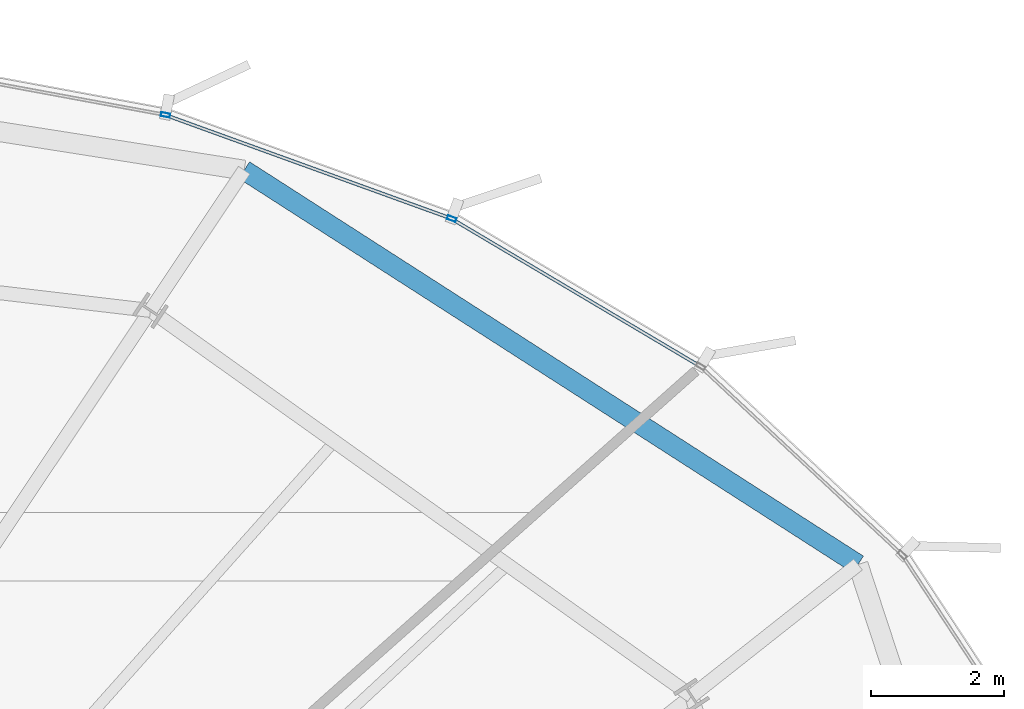
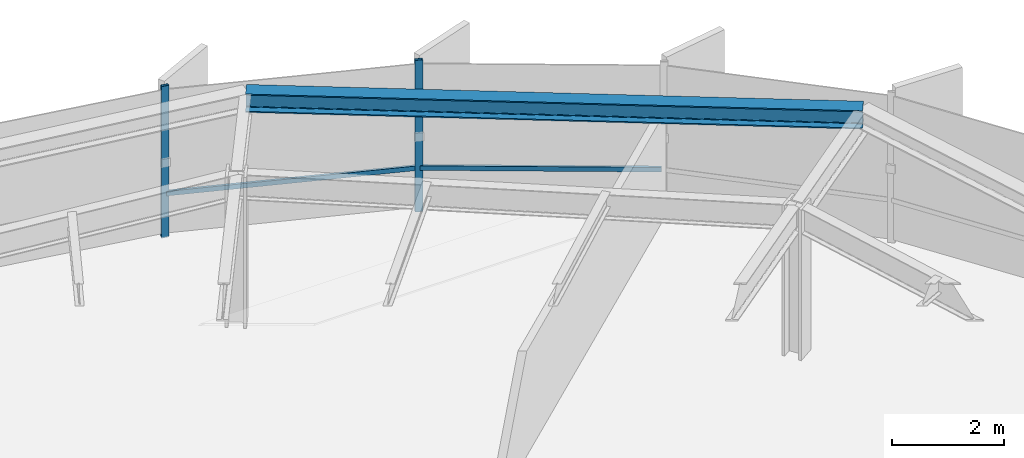
# One storey, part 25 of 35: 4 members, 1 beam, 1 element without a shape of its own.
"""IFC4 building model written with IfcOpenShell, lengths in metres."""

import ifcopenshell
import ifcopenshell.guid

model = None  # the IFC model being written
_history = None  # IfcOwnerHistory: only IFC2X3 demands one
_inside = {}  # id of a spatial element -> (the spatial element, [elements in it])
_under = {}  # id of a project, library or spatial element -> (it, [spatial elements below it])
_declared = {}  # id of a project -> (the project, [libraries it declares])
_typed = {}  # id of a type object -> (the type object, [elements of that type])
_made_of = {}  # id of a material, layer set ... -> (it, [elements and type objects made of it])


def new_model(schema):
    """Start an empty IFC model of exactly this schema.

    Asked for "IFC4X3", IfcOpenShell would pick the latest addendum, in which some entities
    have other attributes; the version numbers below select the first issue.
    IFC2X3 requires an IfcOwnerHistory on every rooted entity: one is made here for all.
    """
    global model, _history
    if schema == "IFC4X3":
        model = ifcopenshell.file(schema_version=(4, 3, 0, 0))
    else:
        model = ifcopenshell.file(schema=schema)
    _inside.clear()
    _under.clear()
    _declared.clear()
    _typed.clear()
    _made_of.clear()
    _history = None
    if model.schema == "IFC2X3":
        org = make("IfcOrganization", Name="unknown")
        user = make(
            "IfcPersonAndOrganization",
            ThePerson=make("IfcPerson", FamilyName="unknown"),
            TheOrganization=org,
        )
        app = make(
            "IfcApplication",
            ApplicationDeveloper=org,
            Version="unknown",
            ApplicationFullName="unknown",
            ApplicationIdentifier="unknown",
        )
        _history = make(
            "IfcOwnerHistory",
            OwningUser=user,
            OwningApplication=app,
            ChangeAction="ADDED",
            CreationDate=0,
        )
    return model


def make(cls, **values):
    """One entity of the class cls with the attributes given. An attribute that is None is left unset."""
    return model.create_entity(
        cls, **{name: value for name, value in values.items() if value is not None}
    )


def rooted(cls, **values):
    """An entity with a GlobalId (a new one), such as an element, a storey or a relation."""
    return make(cls, GlobalId=ifcopenshell.guid.new(), OwnerHistory=_history, **values)


def si_unit(unit_type, name, prefix=None):
    """IfcSIUnit, for example si_unit("LENGTHUNIT", "METRE", prefix="MILLI")."""
    return make("IfcSIUnit", UnitType=unit_type, Prefix=prefix, Name=name)


def assignment(units):
    """IfcUnitAssignment: the units of a project."""
    return None if units is None else make("IfcUnitAssignment", Units=units)


def point(xyz):
    """IfcCartesianPoint."""
    return None if xyz is None else make("IfcCartesianPoint", Coordinates=xyz)


def direction(xyz):
    """IfcDirection."""
    return None if xyz is None else make("IfcDirection", DirectionRatios=xyz)


def frame(location, z_axis=None, x_axis=None):
    """IfcAxis2Placement3D, a coordinate frame: its origin and axes. An axis left out is left unset."""
    return make(
        "IfcAxis2Placement3D",
        Location=point(location),
        Axis=direction(z_axis),
        RefDirection=direction(x_axis),
    )


def frame_2d(location, x_axis=None):
    """IfcAxis2Placement2D, a coordinate frame in the plane: its origin and x axis."""
    return make(
        "IfcAxis2Placement2D", Location=point(location), RefDirection=direction(x_axis)
    )


def origin():
    """The frame at (0, 0, 0) with its axes left unset."""
    return frame((0.0, 0.0, 0.0))


def origin_2d():
    """The frame at (0, 0) in the plane with its x axis left unset."""
    return frame_2d((0.0, 0.0))


def place(relative_to, where):
    """IfcLocalPlacement: puts the frame where relative to a parent placement (None: the world)."""
    return make(
        "IfcLocalPlacement", PlacementRelTo=relative_to, RelativePlacement=where
    )


def context(
    kind, dimensions, precision=None, world=None, true_north=None, identifier=None
):
    """IfcGeometricRepresentationContext, for example the 3D "Model" context."""
    return make(
        "IfcGeometricRepresentationContext",
        ContextIdentifier=identifier,
        ContextType=kind,
        CoordinateSpaceDimension=dimensions,
        Precision=precision,
        WorldCoordinateSystem=world,
        TrueNorth=true_north,
    )


def subcontext(parent, identifier, kind, view, scale=None):
    """IfcGeometricRepresentationSubContext, for example "Body" below "Model"."""
    return make(
        "IfcGeometricRepresentationSubContext",
        ContextIdentifier=identifier,
        ContextType=kind,
        ParentContext=parent,
        TargetScale=scale,
        TargetView=view,
    )


def project(units=None, contexts=None):
    """IfcProject with its units and contexts."""
    return rooted(
        "IfcProject",
        Name="project",
        RepresentationContexts=contexts,
        UnitsInContext=assignment(units),
    )


def spatial(cls, under=None, at=None, **own):
    """A site, building, storey or space (cls), placed at a placement, below another one or the project."""
    s = rooted(cls, ObjectPlacement=at, **own)
    if under is not None:
        _under.setdefault(under.id(), (under, []))[1].append(s)
    return s


def profile(cls, at=None, kind="AREA", **sizes):
    """A parametric profile (cls). Its sizes go by their IFC names, for example OverallWidth=200.0."""
    return make(cls, ProfileType=kind, Position=at, **sizes)


def hollow_rectangle(**sizes):
    """IfcRectangleHollowProfileDef."""
    return profile("IfcRectangleHollowProfileDef", **sizes)


def i_section(**sizes):
    """IfcIShapeProfileDef."""
    return profile("IfcIShapeProfileDef", **sizes)


def extrude(swept, where, along, depth):
    """IfcExtrudedAreaSolid: the profile swept, set in the frame where, extruded along a direction by depth."""
    return make(
        "IfcExtrudedAreaSolid",
        SweptArea=swept,
        Position=where,
        ExtrudedDirection=direction(along),
        Depth=depth,
    )


def shape(context_of_items, identifier, shape_type, items):
    """IfcShapeRepresentation: the items that make up one representation, for example the "Body"."""
    return make(
        "IfcShapeRepresentation",
        ContextOfItems=context_of_items,
        RepresentationIdentifier=identifier,
        RepresentationType=shape_type,
        Items=items,
    )


def source(mapping_origin, context_of_items, identifier, shape_type, items):
    """IfcRepresentationMap: a shape defined once, which mapped items show again and again."""
    return make(
        "IfcRepresentationMap",
        MappingOrigin=mapping_origin,
        MappedRepresentation=shape(context_of_items, identifier, shape_type, items),
    )


def transform(
    local_origin,
    x_axis=None,
    y_axis=None,
    z_axis=None,
    scale=None,
    scale2=None,
    scale3=None,
    uniform=True,
):
    """IfcCartesianTransformationOperator3D, or its non-uniform kind. x_axis, y_axis, z_axis: its Axis1, 2, 3."""
    if uniform:
        return make(
            "IfcCartesianTransformationOperator3D",
            Axis1=direction(x_axis),
            Axis2=direction(y_axis),
            LocalOrigin=point(local_origin),
            Scale=scale,
            Axis3=direction(z_axis),
        )
    return make(
        "IfcCartesianTransformationOperator3DnonUniform",
        Axis1=direction(x_axis),
        Axis2=direction(y_axis),
        LocalOrigin=point(local_origin),
        Scale=scale,
        Axis3=direction(z_axis),
        Scale2=scale2,
        Scale3=scale3,
    )


def mapped(mapping_source, mapping_target):
    """IfcMappedItem: shows the shape of a source again, moved by a transform."""
    return make(
        "IfcMappedItem", MappingSource=mapping_source, MappingTarget=mapping_target
    )


def material(Name=None, Category=None):
    """IfcMaterial."""
    return make("IfcMaterial", Name=Name, Category=Category)


def layer(
    of_material, thickness, ventilated=None, Name=None, Category=None, Priority=None
):
    """IfcMaterialLayer: one layer of a wall or slab, of a material (None: an air gap)."""
    return make(
        "IfcMaterialLayer",
        Material=of_material,
        LayerThickness=thickness,
        IsVentilated=ventilated,
        Name=Name,
        Category=Category,
        Priority=Priority,
    )


def layer_set(layers, Name=None):
    """IfcMaterialLayerSet."""
    return make("IfcMaterialLayerSet", MaterialLayers=layers, LayerSetName=Name)


def material_profile(
    of_material, cross_section, Name=None, Category=None, Priority=None
):
    """IfcMaterialProfile: a cross section and its material."""
    return make(
        "IfcMaterialProfile",
        Name=Name,
        Material=of_material,
        Profile=cross_section,
        Priority=Priority,
        Category=Category,
    )


def profile_set(profiles, Name=None, composite=None):
    """IfcMaterialProfileSet."""
    return make(
        "IfcMaterialProfileSet",
        Name=Name,
        MaterialProfiles=profiles,
        CompositeProfile=composite,
    )


def made_of(thing, what):
    """Note that an element or type object is made of a material, layer set ...; save() writes the relation."""
    if what is not None:
        _made_of.setdefault(what.id(), (what, []))[1].append(thing)
    return thing


def type_object(cls, material=None, **own):
    """A type object (cls), such as IfcWallType, which elements share."""
    return made_of(rooted(cls, **own), material)


def element(
    cls,
    number,
    at=None,
    inside=None,
    cuts=None,
    type_object=None,
    material=None,
    context=None,
    identifier="Body",
    shape_type=None,
    held_by="IfcProductDefinitionShape",
    body=None,
    shapes=None,
    **own,
):
    """One element of the class cls, such as IfcWall. Its Tag is "e" and its number.

    at: its placement. inside: the storey or other place that contains it. cuts: it is an
    opening in that element (IfcRelVoidsElement). A single representation is given by context,
    identifier, shape_type and body (its items); several are given by shapes. held_by: the class
    of the entity that holds the representations. save() writes the other relations.
    """
    e = rooted(cls, Tag="e%d" % number, ObjectPlacement=at, **own)
    if body is not None:
        shapes = [shape(context, identifier, shape_type, body)]
    if shapes is not None:
        e.Representation = make(held_by, Representations=shapes)
    if inside is not None:
        _inside.setdefault(inside.id(), (inside, []))[1].append(e)
    if cuts is not None:
        rooted(
            "IfcRelVoidsElement", RelatingBuildingElement=cuts, RelatedOpeningElement=e
        )
    if type_object is not None:
        _typed.setdefault(type_object.id(), (type_object, []))[1].append(e)
    return made_of(e, material)


def aggregate(whole, parts):
    """IfcRelAggregates: a whole, such as a stair, and the parts it consists of."""
    return rooted("IfcRelAggregates", RelatingObject=whole, RelatedObjects=parts)


def save(model, path):
    """Write the relations noted so far, then the file.

    IfcRelAggregates (storeys below a building ...), IfcRelContainedInSpatialStructure (elements
    in a storey), IfcRelDefinesByType, IfcRelAssociatesMaterial and IfcRelDeclares: one each for
    every whole, place, type object, material and project.
    """
    for whole, parts in _under.values():
        aggregate(whole, parts)
    for where, things in _inside.values():
        rooted(
            "IfcRelContainedInSpatialStructure",
            RelatedElements=things,
            RelatingStructure=where,
        )
    for kind, things in _typed.values():
        rooted("IfcRelDefinesByType", RelatedObjects=things, RelatingType=kind)
    for what, things in _made_of.values():
        rooted("IfcRelAssociatesMaterial", RelatedObjects=things, RelatingMaterial=what)
    for by, libraries in _declared.values():
        rooted("IfcRelDeclares", RelatingContext=by, RelatedDefinitions=libraries)
    model.write(path)


model = new_model("IFC4")

# Units and contexts
model_context = context("Model", 3, precision=1e-05, world=origin(), true_north=direction((0.0, 1.0)))
body_context = subcontext(model_context, "Body", "Model", "MODEL_VIEW")
ifc_project = project(units=[si_unit("LENGTHUNIT", "METRE"), si_unit("AREAUNIT", "SQUARE_METRE"), si_unit("VOLUMEUNIT", "CUBIC_METRE"), si_unit("PLANEANGLEUNIT", "RADIAN"), si_unit("MASSUNIT", "GRAM", prefix="KILO"), si_unit("THERMODYNAMICTEMPERATUREUNIT", "KELVIN")], contexts=[model_context])

# Site, building, storey
site_placement = place(None, origin())
site = spatial("IfcSite", under=ifc_project, at=site_placement, CompositionType="ELEMENT")
building_placement = place(site_placement, origin())
building = spatial("IfcBuilding", under=site, at=building_placement, Name="Kethvar Cultural Tower", CompositionType="ELEMENT")
storey_placement = place(building_placement, frame((0.0, 0.0, 139.449951171875)))
storey = spatial("IfcBuildingStorey", under=building, at=storey_placement, Name="L35", CompositionType="ELEMENT", Elevation=139.449951171875)

# Beam
ifc_material_1 = material(Name="Steel S355J2", Category="steel")
ifc_material_profile_1 = material_profile(ifc_material_1, i_section(OverallWidth=0.300048828125, OverallDepth=0.39990234375, WebThickness=0.013427734375, FlangeThickness=0.02392578125, FilletRadius=0.027099609375, at=origin_2d()), Name="Steel S355J2 — HEB400")
ifc_profile_set_1 = profile_set([ifc_material_profile_1], Name="Steel S355J2 — HEB400")
beam_type = type_object("IfcBeamType", Name="BM-SP400", PredefinedType="SPANDREL", material=ifc_profile_set_1)
shared_shape_1 = source(origin(), body_context, "Body", "SweptSolid", [
    extrude(i_section(OverallWidth=0.300048828125, OverallDepth=0.39990234375, WebThickness=0.013427734375, FlangeThickness=0.02392578125, FilletRadius=0.027099609375, at=origin_2d()), origin(), (0.0, 0.0, 1.0), 11.006591796875),
])
beam_placement = place(storey_placement, frame((71.07958984375, 44.3291015625, 3.09814453125), z_axis=(-0.841362203997, 0.540471684443, 0.0), x_axis=(-0.540471684443, -0.841362203997, 0.0)))
element("IfcBeam", 1, at=beam_placement, inside=storey, type_object=beam_type, Name="L35 Perimeter Spandrel Beam SP-02", PredefinedType="SPANDREL", context=body_context, shape_type="MappedRepresentation", body=[
    mapped(shared_shape_1, transform((0.0, 0.0, 0.0), scale=1.0)),
])

# Curtain wall, members
ifc_material_2 = material(Name="Aluminium 6063-T6", Category="aluminium")
ifc_layer = layer(ifc_material_2, 0.179931640625, Name="Aluminium 6063-T6", Category="aluminium")
ifc_layer_set = layer_set([ifc_layer], Name="Aluminium 6063-T6 (180 mm)")
curtain_wall_type = type_object("IfcCurtainWallType", Name="CW-SYS-04-Z34", PredefinedType="NOTDEFINED", material=ifc_layer_set)
curtain_wall_placement = place(storey_placement, origin())
curtain_wall = element("IfcCurtainWall", 2, at=curtain_wall_placement, inside=storey, type_object=curtain_wall_type, Name="L35 Curtain Wall Run 01", PredefinedType="NOTDEFINED")
ifc_material_profile_2 = material_profile(ifc_material_2, hollow_rectangle(XDim=0.06005859375, YDim=0.139892578125, WallThickness=0.0048828125, at=origin_2d()), Name="Aluminium 6063-T6 — RHS140x60x5")
ifc_profile_set_2 = profile_set([ifc_material_profile_2], Name="Aluminium 6063-T6 — RHS140x60x5")
member_type_1 = type_object("IfcMemberType", Name="CW-SYS-04-Z34-MUL", PredefinedType="MULLION", material=ifc_profile_set_2)
shared_shape_2 = source(origin(), body_context, "Body", "SweptSolid", [
    extrude(hollow_rectangle(XDim=0.06005859375, YDim=0.139892578125, WallThickness=0.0048828125, at=origin_2d()), origin(), (0.0, 0.0, 1.0), 3.300048828125),
])
member_1_placement = place(storey_placement, frame((64.9501953125, 49.544921875, 0.0), z_axis=(0.0, 0.0, 1.0), x_axis=(-0.340592886058, -0.940210873138, 0.0)))
member_1 = element("IfcMember", 3, at=member_1_placement, type_object=member_type_1, Name="CW-L35-R01 Mullion 4", PredefinedType="MULLION", context=body_context, shape_type="MappedRepresentation", body=[
    mapped(shared_shape_2, transform((0.0, 0.0, 0.0), scale=1.0)),
])
member_2_placement = place(storey_placement, frame((60.631591796875, 51.11083984375, 0.0), z_axis=(0.0, 0.0, 1.0), x_axis=(-0.181995265557, -0.98329940675, 0.0)))
member_2 = element("IfcMember", 4, at=member_2_placement, type_object=member_type_1, Name="CW-L35-R01 Mullion 5", PredefinedType="MULLION", context=body_context, shape_type="MappedRepresentation", body=[
    mapped(shared_shape_2, transform((0.0, 0.0, 0.0), scale=1.0)),
])
ifc_material_profile_3 = material_profile(ifc_material_2, hollow_rectangle(XDim=0.050048828125, YDim=0.10009765625, WallThickness=0.00390625, at=origin_2d()), Name="Aluminium 6063-T6 — RHS100x50x4")
ifc_profile_set_3 = profile_set([ifc_material_profile_3], Name="Aluminium 6063-T6 — RHS100x50x4")
member_type_2 = type_object("IfcMemberType", Name="CW-SYS-04-Z34-TRN", PredefinedType="USERDEFINED", material=ifc_profile_set_3)
shared_shape_3 = source(origin(), body_context, "Body", "SweptSolid", [
    extrude(hollow_rectangle(XDim=0.050048828125, YDim=0.10009765625, WallThickness=0.00390625, at=origin_2d()), origin(), (0.0, 0.0, 1.0), 4.302001953125),
])
member_3_placement = place(storey_placement, frame((68.66845703125, 47.336669921875, 0.949951171875), z_axis=(-0.86003608255, 0.510233217962, 0.0), x_axis=(-0.510233217962, -0.86003608255, 0.0)))
member_3 = element("IfcMember", 5, at=member_3_placement, type_object=member_type_2, Name="CW-L35-R01 Transom 3", ObjectType="TRANSOM", PredefinedType="USERDEFINED", context=body_context, shape_type="MappedRepresentation", body=[
    mapped(shared_shape_3, transform((0.0, 0.0, 0.0), scale=1.0)),
])
shared_shape_4 = source(origin(), body_context, "Body", "SweptSolid", [
    extrude(hollow_rectangle(XDim=0.050048828125, YDim=0.10009765625, WallThickness=0.00390625, at=origin_2d()), origin(), (0.0, 0.0, 1.0), 4.525146484375),
])
member_4_placement = place(storey_placement, frame((64.909423828125, 49.559814453125, 0.949951171875), z_axis=(-0.940210156185, 0.340594865209, 0.0), x_axis=(-0.340594865209, -0.940210156185, 0.0)))
member_4 = element("IfcMember", 6, at=member_4_placement, type_object=member_type_2, Name="CW-L35-R01 Transom 4", ObjectType="TRANSOM", PredefinedType="USERDEFINED", context=body_context, shape_type="MappedRepresentation", body=[
    mapped(shared_shape_4, transform((0.0, 0.0, 0.0), scale=1.0)),
])
aggregate(curtain_wall, [member_1, member_2, member_3, member_4])

save(model, "model.ifc")
